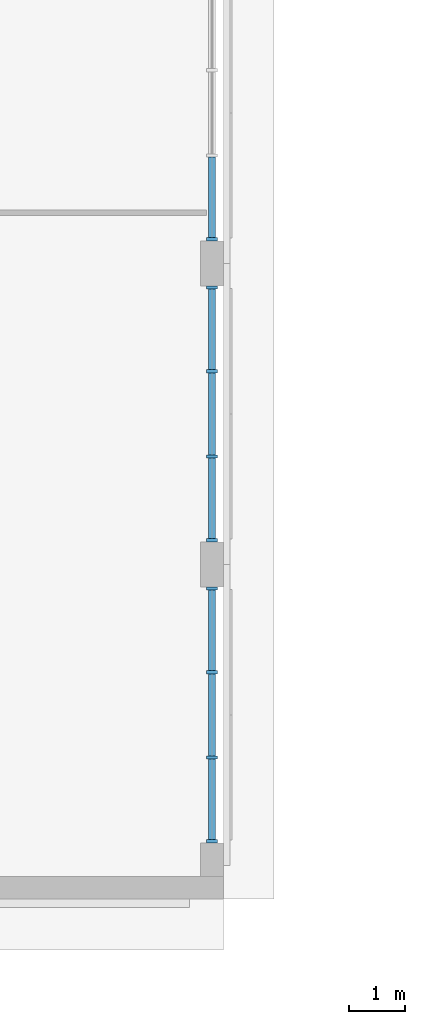
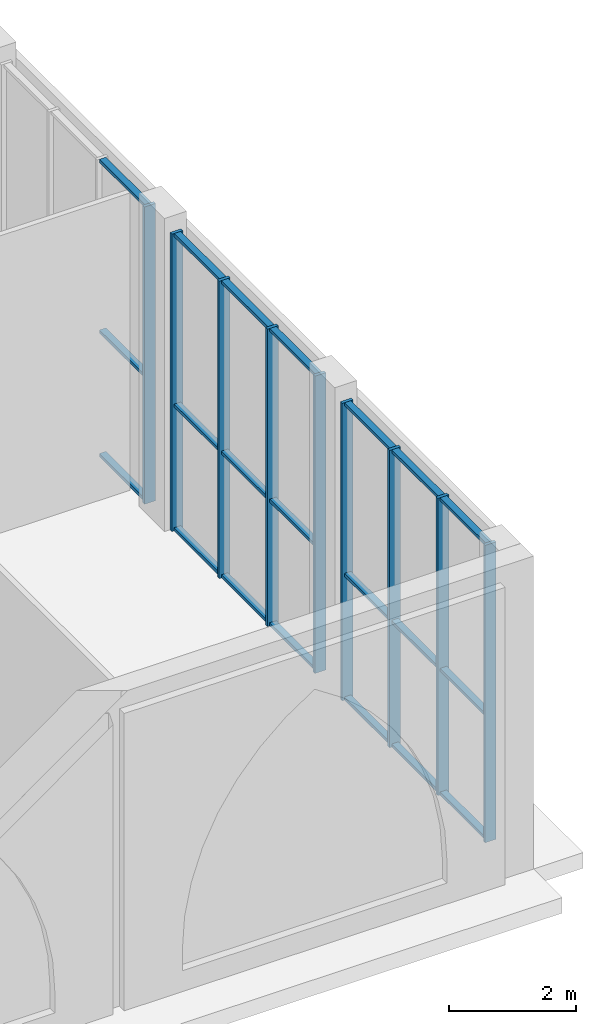
# One storey, part 7 of 74: 30 members, 3 elements without a shape of their own.
"""IFC4 building model written with IfcOpenShell, lengths in metres."""

from ifc_helpers import new_model, si_unit, direction, frame, origin, origin_2d, place, context, subcontext, project, spatial, rectangle, extrude, material, layer, layer_set, material_profile, profile_set, type_object, element, aggregate, save


model = new_model("IFC4")

# Units and contexts
model_context = context("Model", 3, precision=1e-05, world=origin(), true_north=direction((0.0, 1.0)))
body_context = subcontext(model_context, "Body", "Model", "MODEL_VIEW")
ifc_project = project(units=[si_unit("LENGTHUNIT", "METRE"), si_unit("AREAUNIT", "SQUARE_METRE"), si_unit("VOLUMEUNIT", "CUBIC_METRE"), si_unit("PLANEANGLEUNIT", "RADIAN"), si_unit("MASSUNIT", "GRAM", prefix="KILO")], contexts=[model_context])

# Site, building, storey
site_placement = place(None, origin())
site = spatial("IfcSite", under=ifc_project, at=site_placement, CompositionType="ELEMENT")
building_placement = place(site_placement, origin())
building = spatial("IfcBuilding", under=site, at=building_placement, Name="Noorbagh Ring Tower", CompositionType="ELEMENT")
storey_placement = place(building_placement, frame((0.0, 0.0, 7.5)))
storey = spatial("IfcBuildingStorey", under=building, at=storey_placement, Name="L01", CompositionType="ELEMENT", Elevation=7.5)

# Curtain wall, members
ifc_material_1 = material(Name="Aluminium and glass", Category="aluminium")
ifc_layer = layer(ifc_material_1, 0.199951171875)
ifc_layer_set = layer_set([ifc_layer], Name="Aluminium and glass")
curtain_wall_type = type_object("IfcCurtainWallType", Name="TH-CW", PredefinedType="NOTDEFINED", material=ifc_layer_set)
curtain_wall_1_placement = place(storey_placement, origin())
curtain_wall_1 = element("IfcCurtainWall", 1, at=curtain_wall_1_placement, inside=storey, type_object=curtain_wall_type, Name="Foyer glazing", PredefinedType="NOTDEFINED")
ifc_material_2 = material(Name="Aluminium", Category="aluminium")
ifc_material_profile_1 = material_profile(ifc_material_2, rectangle(XDim=0.199951171875, YDim=0.06005859375, at=origin_2d()), Name="AL 200x60")
ifc_profile_set_1 = profile_set([ifc_material_profile_1], Name="Aluminium")
member_type_1 = type_object("IfcMemberType", Name="TH-CW-MULLION", PredefinedType="MULLION", material=ifc_profile_set_1)
member_1_placement = place(storey_placement, frame((-95.199951171875, -19.969970703125, 0.0), z_axis=(0.0, 0.0, 1.0), x_axis=(-1.0, 0.0, 0.0)))
member_1 = element("IfcMember", 2, at=member_1_placement, type_object=member_type_1, Name="CW-T mullion 1", PredefinedType="MULLION", context=body_context, shape_type="SweptSolid", body=[
    extrude(rectangle(XDim=0.199951171875, YDim=0.06005859375, at=origin_2d()), origin(), (0.0, 0.0, 1.0), 5.699951171875),
])
member_2_placement = place(storey_placement, frame((-95.199951171875, -18.4833984375, 0.0), z_axis=(0.0, 0.0, 1.0), x_axis=(-1.0, 0.0, 0.0)))
member_2 = element("IfcMember", 3, at=member_2_placement, type_object=member_type_1, Name="CW-T mullion 2", PredefinedType="MULLION", context=body_context, shape_type="SweptSolid", body=[
    extrude(rectangle(XDim=0.199951171875, YDim=0.06005859375, at=origin_2d()), origin(), (0.0, 0.0, 1.0), 5.699951171875),
])
member_3_placement = place(storey_placement, frame((-95.199951171875, -16.966552734375, 0.0), z_axis=(0.0, 0.0, 1.0), x_axis=(-1.0, 0.0, 0.0)))
member_3 = element("IfcMember", 4, at=member_3_placement, type_object=member_type_1, Name="CW-T mullion 3", PredefinedType="MULLION", context=body_context, shape_type="SweptSolid", body=[
    extrude(rectangle(XDim=0.199951171875, YDim=0.06005859375, at=origin_2d()), origin(), (0.0, 0.0, 1.0), 5.699951171875),
])
member_4_placement = place(storey_placement, frame((-95.199951171875, -15.47998046875, 0.0), z_axis=(0.0, 0.0, 1.0), x_axis=(-1.0, 0.0, 0.0)))
member_4 = element("IfcMember", 5, at=member_4_placement, type_object=member_type_1, Name="CW-T mullion 4", PredefinedType="MULLION", context=body_context, shape_type="SweptSolid", body=[
    extrude(rectangle(XDim=0.199951171875, YDim=0.06005859375, at=origin_2d()), origin(), (0.0, 0.0, 1.0), 5.699951171875),
])

curtain_wall_2_placement = place(storey_placement, origin())
curtain_wall_2 = element("IfcCurtainWall", 6, at=curtain_wall_2_placement, inside=storey, type_object=curtain_wall_type, Name="Foyer glazing", PredefinedType="NOTDEFINED")
member_5_placement = place(storey_placement, frame((-95.199951171875, -14.6201171875, 0.0), z_axis=(0.0, 0.0, 1.0), x_axis=(-1.0, 0.0, 0.0)))
member_5 = element("IfcMember", 7, at=member_5_placement, type_object=member_type_1, Name="CW-T mullion 1", PredefinedType="MULLION", context=body_context, shape_type="SweptSolid", body=[
    extrude(rectangle(XDim=0.199951171875, YDim=0.06005859375, at=origin_2d()), origin(), (0.0, 0.0, 1.0), 5.699951171875),
])
member_6_placement = place(storey_placement, frame((-95.199951171875, -13.13330078125, 0.0), z_axis=(0.0, 0.0, 1.0), x_axis=(-1.0, 0.0, 0.0)))
member_6 = element("IfcMember", 8, at=member_6_placement, type_object=member_type_1, Name="CW-T mullion 2", PredefinedType="MULLION", context=body_context, shape_type="SweptSolid", body=[
    extrude(rectangle(XDim=0.199951171875, YDim=0.06005859375, at=origin_2d()), origin(), (0.0, 0.0, 1.0), 5.699951171875),
])
member_7_placement = place(storey_placement, frame((-95.199951171875, -11.61669921875, 0.0), z_axis=(0.0, 0.0, 1.0), x_axis=(-1.0, 0.0, 0.0)))
member_7 = element("IfcMember", 9, at=member_7_placement, type_object=member_type_1, Name="CW-T mullion 3", PredefinedType="MULLION", context=body_context, shape_type="SweptSolid", body=[
    extrude(rectangle(XDim=0.199951171875, YDim=0.06005859375, at=origin_2d()), origin(), (0.0, 0.0, 1.0), 5.699951171875),
])
member_8_placement = place(storey_placement, frame((-95.199951171875, -10.1298828125, 0.0), z_axis=(0.0, 0.0, 1.0), x_axis=(-1.0, 0.0, 0.0)))
member_8 = element("IfcMember", 10, at=member_8_placement, type_object=member_type_1, Name="CW-T mullion 4", PredefinedType="MULLION", context=body_context, shape_type="SweptSolid", body=[
    extrude(rectangle(XDim=0.199951171875, YDim=0.06005859375, at=origin_2d()), origin(), (0.0, 0.0, 1.0), 5.699951171875),
])

# Curtain wall, member
curtain_wall_3_placement = place(storey_placement, origin())
curtain_wall_3 = element("IfcCurtainWall", 11, at=curtain_wall_3_placement, inside=storey, type_object=curtain_wall_type, Name="Foyer glazing", PredefinedType="NOTDEFINED")
member_9_placement = place(storey_placement, frame((-95.199951171875, -9.27001953125, 0.0), z_axis=(0.0, 0.0, 1.0), x_axis=(-1.0, 0.0, 0.0)))
member_9 = element("IfcMember", 12, at=member_9_placement, type_object=member_type_1, Name="CW-T mullion 1", PredefinedType="MULLION", context=body_context, shape_type="SweptSolid", body=[
    extrude(rectangle(XDim=0.199951171875, YDim=0.06005859375, at=origin_2d()), origin(), (0.0, 0.0, 1.0), 5.699951171875),
])

# Member
ifc_material_3 = material(Name="Aluminium", Category="aluminium")
ifc_material_profile_2 = material_profile(ifc_material_3, rectangle(XDim=0.1201171875, YDim=0.06005859375, at=origin_2d()), Name="AL 120x60")
ifc_profile_set_2 = profile_set([ifc_material_profile_2], Name="Aluminium")
member_type_2 = type_object("IfcMemberType", Name="TH-CW-TRANSOM", PredefinedType="USERDEFINED", material=ifc_profile_set_2)
member_10_placement = place(storey_placement, frame((-95.199951171875, -19.93994140625, 0.030029296875), z_axis=(0.0, 1.0, 0.0), x_axis=(-1.0, 0.0, 0.0)))
member_10 = element("IfcMember", 13, at=member_10_placement, type_object=member_type_2, Name="CW-T transom 1.1", ObjectType="TRANSOM", PredefinedType="USERDEFINED", context=body_context, shape_type="SweptSolid", body=[
    extrude(rectangle(XDim=0.1201171875, YDim=0.06005859375, at=origin_2d()), origin(), (0.0, 0.0, 1.0), 1.426513671875),
])

member_11_placement = place(storey_placement, frame((-95.199951171875, -19.93994140625, 2.39990234375), z_axis=(0.0, 1.0, 0.0), x_axis=(-1.0, 0.0, 0.0)))
member_11 = element("IfcMember", 14, at=member_11_placement, type_object=member_type_2, Name="CW-T transom 1.2", ObjectType="TRANSOM", PredefinedType="USERDEFINED", context=body_context, shape_type="SweptSolid", body=[
    extrude(rectangle(XDim=0.1201171875, YDim=0.06005859375, at=origin_2d()), origin(), (0.0, 0.0, 1.0), 1.426513671875),
])

member_12_placement = place(storey_placement, frame((-95.199951171875, -19.93994140625, 5.669921875), z_axis=(0.0, 1.0, 0.0), x_axis=(-1.0, 0.0, 0.0)))
member_12 = element("IfcMember", 15, at=member_12_placement, type_object=member_type_2, Name="CW-T transom 1.3", ObjectType="TRANSOM", PredefinedType="USERDEFINED", context=body_context, shape_type="SweptSolid", body=[
    extrude(rectangle(XDim=0.1201171875, YDim=0.06005859375, at=origin_2d()), origin(), (0.0, 0.0, 1.0), 1.426513671875),
])

member_13_placement = place(storey_placement, frame((-95.199951171875, -18.453369140625, 0.030029296875), z_axis=(0.0, 1.0, 0.0), x_axis=(-1.0, 0.0, 0.0)))
member_13 = element("IfcMember", 16, at=member_13_placement, type_object=member_type_2, Name="CW-T transom 2.1", ObjectType="TRANSOM", PredefinedType="USERDEFINED", context=body_context, shape_type="SweptSolid", body=[
    extrude(rectangle(XDim=0.1201171875, YDim=0.06005859375, at=origin_2d()), origin(), (0.0, 0.0, 1.0), 1.456787109375),
])

member_14_placement = place(storey_placement, frame((-95.199951171875, -18.453369140625, 2.39990234375), z_axis=(0.0, 1.0, 0.0), x_axis=(-1.0, 0.0, 0.0)))
member_14 = element("IfcMember", 17, at=member_14_placement, type_object=member_type_2, Name="CW-T transom 2.2", ObjectType="TRANSOM", PredefinedType="USERDEFINED", context=body_context, shape_type="SweptSolid", body=[
    extrude(rectangle(XDim=0.1201171875, YDim=0.06005859375, at=origin_2d()), origin(), (0.0, 0.0, 1.0), 1.456787109375),
])

member_15_placement = place(storey_placement, frame((-95.199951171875, -18.453369140625, 5.669921875), z_axis=(0.0, 1.0, 0.0), x_axis=(-1.0, 0.0, 0.0)))
member_15 = element("IfcMember", 18, at=member_15_placement, type_object=member_type_2, Name="CW-T transom 2.3", ObjectType="TRANSOM", PredefinedType="USERDEFINED", context=body_context, shape_type="SweptSolid", body=[
    extrude(rectangle(XDim=0.1201171875, YDim=0.06005859375, at=origin_2d()), origin(), (0.0, 0.0, 1.0), 1.456787109375),
])

member_16_placement = place(storey_placement, frame((-95.199951171875, -16.936767578125, 0.030029296875), z_axis=(0.0, 1.0, 0.0), x_axis=(-1.0, 0.0, 0.0)))
member_16 = element("IfcMember", 19, at=member_16_placement, type_object=member_type_2, Name="CW-T transom 3.1", ObjectType="TRANSOM", PredefinedType="USERDEFINED", context=body_context, shape_type="SweptSolid", body=[
    extrude(rectangle(XDim=0.1201171875, YDim=0.06005859375, at=origin_2d()), origin(), (0.0, 0.0, 1.0), 1.4267578125),
])

member_17_placement = place(storey_placement, frame((-95.199951171875, -16.936767578125, 2.39990234375), z_axis=(0.0, 1.0, 0.0), x_axis=(-1.0, 0.0, 0.0)))
member_17 = element("IfcMember", 20, at=member_17_placement, type_object=member_type_2, Name="CW-T transom 3.2", ObjectType="TRANSOM", PredefinedType="USERDEFINED", context=body_context, shape_type="SweptSolid", body=[
    extrude(rectangle(XDim=0.1201171875, YDim=0.06005859375, at=origin_2d()), origin(), (0.0, 0.0, 1.0), 1.4267578125),
])

member_18_placement = place(storey_placement, frame((-95.199951171875, -16.936767578125, 5.669921875), z_axis=(0.0, 1.0, 0.0), x_axis=(-1.0, 0.0, 0.0)))
member_18 = element("IfcMember", 21, at=member_18_placement, type_object=member_type_2, Name="CW-T transom 3.3", ObjectType="TRANSOM", PredefinedType="USERDEFINED", context=body_context, shape_type="SweptSolid", body=[
    extrude(rectangle(XDim=0.1201171875, YDim=0.06005859375, at=origin_2d()), origin(), (0.0, 0.0, 1.0), 1.4267578125),
])

aggregate(curtain_wall_1, [member_1, member_2, member_3, member_4, member_10, member_11, member_12, member_13, member_14, member_15, member_16, member_17, member_18])

member_19_placement = place(storey_placement, frame((-95.199951171875, -14.590087890625, 0.030029296875), z_axis=(0.0, 1.0, 0.0), x_axis=(-1.0, 0.0, 0.0)))
member_19 = element("IfcMember", 22, at=member_19_placement, type_object=member_type_2, Name="CW-T transom 1.1", ObjectType="TRANSOM", PredefinedType="USERDEFINED", context=body_context, shape_type="SweptSolid", body=[
    extrude(rectangle(XDim=0.1201171875, YDim=0.06005859375, at=origin_2d()), origin(), (0.0, 0.0, 1.0), 1.4267578125),
])

member_20_placement = place(storey_placement, frame((-95.199951171875, -14.590087890625, 2.39990234375), z_axis=(0.0, 1.0, 0.0), x_axis=(-1.0, 0.0, 0.0)))
member_20 = element("IfcMember", 23, at=member_20_placement, type_object=member_type_2, Name="CW-T transom 1.2", ObjectType="TRANSOM", PredefinedType="USERDEFINED", context=body_context, shape_type="SweptSolid", body=[
    extrude(rectangle(XDim=0.1201171875, YDim=0.06005859375, at=origin_2d()), origin(), (0.0, 0.0, 1.0), 1.4267578125),
])

member_21_placement = place(storey_placement, frame((-95.199951171875, -14.590087890625, 5.669921875), z_axis=(0.0, 1.0, 0.0), x_axis=(-1.0, 0.0, 0.0)))
member_21 = element("IfcMember", 24, at=member_21_placement, type_object=member_type_2, Name="CW-T transom 1.3", ObjectType="TRANSOM", PredefinedType="USERDEFINED", context=body_context, shape_type="SweptSolid", body=[
    extrude(rectangle(XDim=0.1201171875, YDim=0.06005859375, at=origin_2d()), origin(), (0.0, 0.0, 1.0), 1.4267578125),
])

member_22_placement = place(storey_placement, frame((-95.199951171875, -13.103271484375, 0.030029296875), z_axis=(0.0, 1.0, 0.0), x_axis=(-1.0, 0.0, 0.0)))
member_22 = element("IfcMember", 25, at=member_22_placement, type_object=member_type_2, Name="CW-T transom 2.1", ObjectType="TRANSOM", PredefinedType="USERDEFINED", context=body_context, shape_type="SweptSolid", body=[
    extrude(rectangle(XDim=0.1201171875, YDim=0.06005859375, at=origin_2d()), origin(), (0.0, 0.0, 1.0), 1.45654296875),
])

member_23_placement = place(storey_placement, frame((-95.199951171875, -13.103271484375, 2.39990234375), z_axis=(0.0, 1.0, 0.0), x_axis=(-1.0, 0.0, 0.0)))
member_23 = element("IfcMember", 26, at=member_23_placement, type_object=member_type_2, Name="CW-T transom 2.2", ObjectType="TRANSOM", PredefinedType="USERDEFINED", context=body_context, shape_type="SweptSolid", body=[
    extrude(rectangle(XDim=0.1201171875, YDim=0.06005859375, at=origin_2d()), origin(), (0.0, 0.0, 1.0), 1.45654296875),
])

member_24_placement = place(storey_placement, frame((-95.199951171875, -13.103271484375, 5.669921875), z_axis=(0.0, 1.0, 0.0), x_axis=(-1.0, 0.0, 0.0)))
member_24 = element("IfcMember", 27, at=member_24_placement, type_object=member_type_2, Name="CW-T transom 2.3", ObjectType="TRANSOM", PredefinedType="USERDEFINED", context=body_context, shape_type="SweptSolid", body=[
    extrude(rectangle(XDim=0.1201171875, YDim=0.06005859375, at=origin_2d()), origin(), (0.0, 0.0, 1.0), 1.45654296875),
])

member_25_placement = place(storey_placement, frame((-95.199951171875, -11.586669921875, 0.030029296875), z_axis=(0.0, 1.0, 0.0), x_axis=(-1.0, 0.0, 0.0)))
member_25 = element("IfcMember", 28, at=member_25_placement, type_object=member_type_2, Name="CW-T transom 3.1", ObjectType="TRANSOM", PredefinedType="USERDEFINED", context=body_context, shape_type="SweptSolid", body=[
    extrude(rectangle(XDim=0.1201171875, YDim=0.06005859375, at=origin_2d()), origin(), (0.0, 0.0, 1.0), 1.4267578125),
])

member_26_placement = place(storey_placement, frame((-95.199951171875, -11.586669921875, 2.39990234375), z_axis=(0.0, 1.0, 0.0), x_axis=(-1.0, 0.0, 0.0)))
member_26 = element("IfcMember", 29, at=member_26_placement, type_object=member_type_2, Name="CW-T transom 3.2", ObjectType="TRANSOM", PredefinedType="USERDEFINED", context=body_context, shape_type="SweptSolid", body=[
    extrude(rectangle(XDim=0.1201171875, YDim=0.06005859375, at=origin_2d()), origin(), (0.0, 0.0, 1.0), 1.4267578125),
])

member_27_placement = place(storey_placement, frame((-95.199951171875, -11.586669921875, 5.669921875), z_axis=(0.0, 1.0, 0.0), x_axis=(-1.0, 0.0, 0.0)))
member_27 = element("IfcMember", 30, at=member_27_placement, type_object=member_type_2, Name="CW-T transom 3.3", ObjectType="TRANSOM", PredefinedType="USERDEFINED", context=body_context, shape_type="SweptSolid", body=[
    extrude(rectangle(XDim=0.1201171875, YDim=0.06005859375, at=origin_2d()), origin(), (0.0, 0.0, 1.0), 1.4267578125),
])

aggregate(curtain_wall_2, [member_5, member_6, member_7, member_8, member_19, member_20, member_21, member_22, member_23, member_24, member_25, member_26, member_27])

member_28_placement = place(storey_placement, frame((-95.199951171875, -9.239990234375, 0.030029296875), z_axis=(0.0, 1.0, 0.0), x_axis=(-1.0, 0.0, 0.0)))
member_28 = element("IfcMember", 31, at=member_28_placement, type_object=member_type_2, Name="CW-T transom 1.1", ObjectType="TRANSOM", PredefinedType="USERDEFINED", context=body_context, shape_type="SweptSolid", body=[
    extrude(rectangle(XDim=0.1201171875, YDim=0.06005859375, at=origin_2d()), origin(), (0.0, 0.0, 1.0), 1.4267578125),
])

member_29_placement = place(storey_placement, frame((-95.199951171875, -9.239990234375, 2.39990234375), z_axis=(0.0, 1.0, 0.0), x_axis=(-1.0, 0.0, 0.0)))
member_29 = element("IfcMember", 32, at=member_29_placement, type_object=member_type_2, Name="CW-T transom 1.2", ObjectType="TRANSOM", PredefinedType="USERDEFINED", context=body_context, shape_type="SweptSolid", body=[
    extrude(rectangle(XDim=0.1201171875, YDim=0.06005859375, at=origin_2d()), origin(), (0.0, 0.0, 1.0), 1.4267578125),
])

member_30_placement = place(storey_placement, frame((-95.199951171875, -9.239990234375, 5.669921875), z_axis=(0.0, 1.0, 0.0), x_axis=(-1.0, 0.0, 0.0)))
member_30 = element("IfcMember", 33, at=member_30_placement, type_object=member_type_2, Name="CW-T transom 1.3", ObjectType="TRANSOM", PredefinedType="USERDEFINED", context=body_context, shape_type="SweptSolid", body=[
    extrude(rectangle(XDim=0.1201171875, YDim=0.06005859375, at=origin_2d()), origin(), (0.0, 0.0, 1.0), 1.4267578125),
])

aggregate(curtain_wall_3, [member_9, member_28, member_29, member_30])

save(model, "model.ifc")
